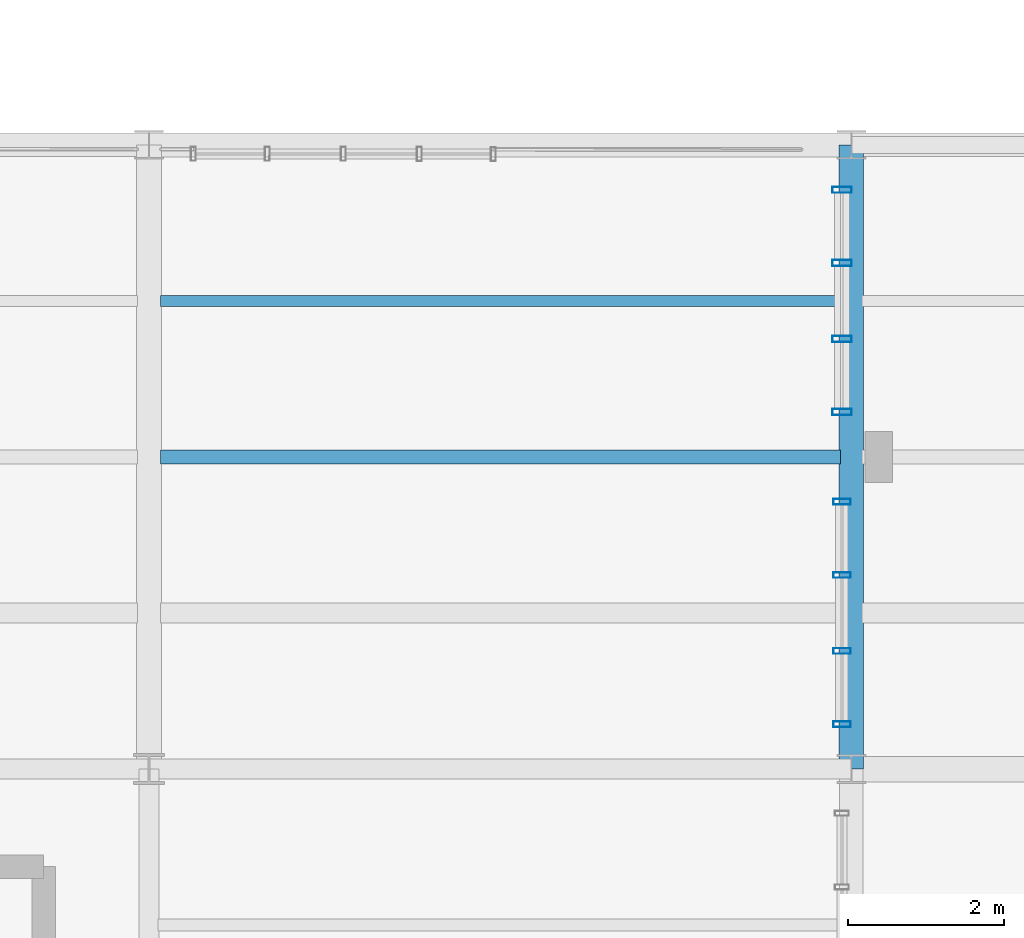
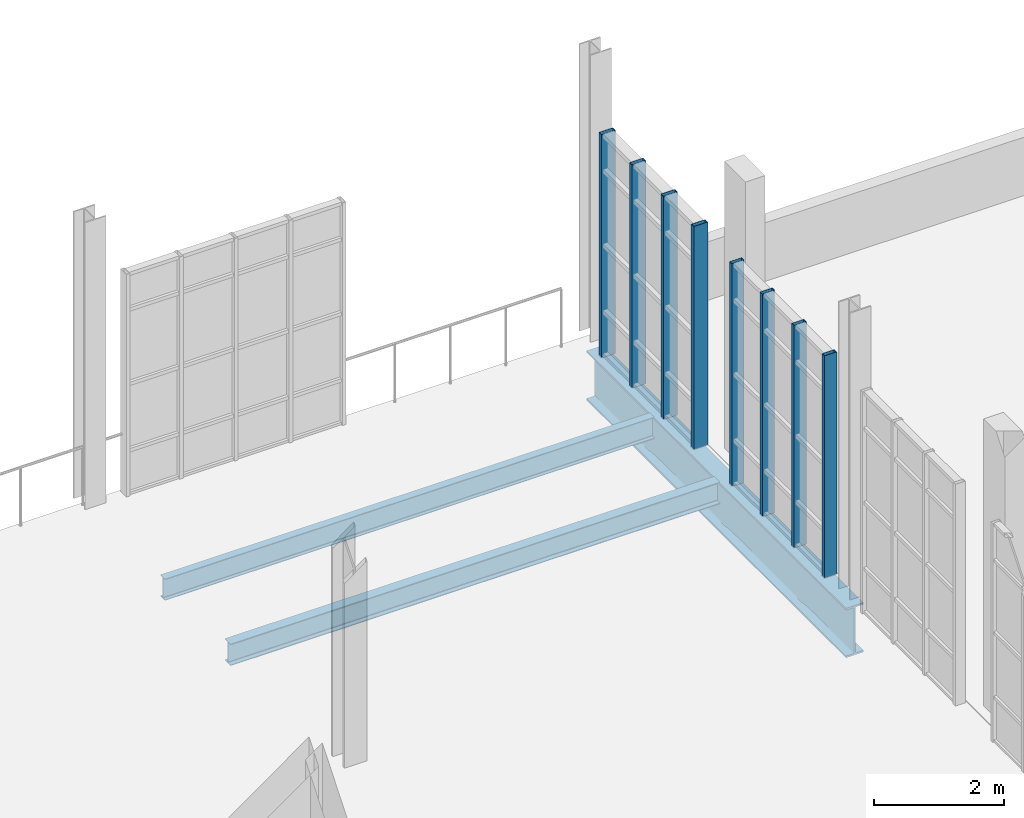
# One storey, part 82 of 142: 8 members, 3 beams, 2 elements without a shape of their own.
"""IFC4 building model written with IfcOpenShell, lengths in metres."""

from ifc_helpers import new_model, si_unit, direction, frame, origin, origin_2d, place, context, subcontext, project, spatial, hollow_rectangle, i_section, extrude, material, layer, layer_set, material_profile, profile_set, type_object, element, aggregate, save


model = new_model("IFC4")

# Units and contexts
model_context = context("Model", 3, precision=1e-05, world=origin(), true_north=direction((0.0, 1.0)))
body_context = subcontext(model_context, "Body", "Model", "MODEL_VIEW")
ifc_project = project(units=[si_unit("LENGTHUNIT", "METRE"), si_unit("AREAUNIT", "SQUARE_METRE"), si_unit("VOLUMEUNIT", "CUBIC_METRE"), si_unit("PLANEANGLEUNIT", "RADIAN"), si_unit("MASSUNIT", "GRAM", prefix="KILO"), si_unit("THERMODYNAMICTEMPERATUREUNIT", "KELVIN"), si_unit("POWERUNIT", "WATT")], contexts=[model_context])

# Site, building, storey
site_placement = place(None, origin())
site = spatial("IfcSite", under=ifc_project, at=site_placement, CompositionType="ELEMENT")
building_placement = place(site_placement, origin())
building = spatial("IfcBuilding", under=site, at=building_placement, Name="Zelmaris Science Centre", CompositionType="ELEMENT")
storey_placement = place(building_placement, frame((0.0, 0.0, 5.39990234375)))
storey = spatial("IfcBuildingStorey", under=building, at=storey_placement, Name="L01", CompositionType="ELEMENT", Elevation=5.39990234375)

# Curtain wall, members
ifc_material_1 = material(Name="Anodised architectural aluminium 6063-T6", Category="aluminium")
ifc_layer_1 = layer(ifc_material_1, 0.199951171875, Name="Anodised architectural aluminium 6063-T6")
ifc_layer_set_1 = layer_set([ifc_layer_1], Name="Anodised architectural aluminium 6063-T6")
curtain_wall_type_1 = type_object("IfcCurtainWallType", Name="Curtain Wall CW-02", PredefinedType="USERDEFINED", material=ifc_layer_set_1)
curtain_wall_1_placement = place(storey_placement, origin())
curtain_wall_1 = element("IfcCurtainWall", 1, at=curtain_wall_1_placement, inside=storey, type_object=curtain_wall_type_1, Name="L01 Unitised curtain wall 150", ObjectType="GLAZED CURTAIN WALL", PredefinedType="USERDEFINED")
ifc_material_profile_1 = material_profile(ifc_material_1, hollow_rectangle(XDim=0.074951171875, YDim=0.219970703125, WallThickness=0.0048828125, at=origin_2d()), Name="ALU-MUL-75X220")
ifc_profile_set_1 = profile_set([ifc_material_profile_1], Name="Anodised architectural aluminium 6063-T6")
member_type_1 = type_object("IfcMemberType", Name="ALU-MUL-75X220", PredefinedType="MULLION", material=ifc_profile_set_1)
member_1_placement = place(storey_placement, frame((143.8798828125, 51.426513671875, -0.014892578125), z_axis=(0.0, 0.0, 1.0), x_axis=(0.0, -1.0, 0.0)))
member_1 = element("IfcMember", 2, at=member_1_placement, type_object=member_type_1, Name="CW-02 mullion 1", PredefinedType="MULLION", context=body_context, shape_type="SweptSolid", body=[
    extrude(hollow_rectangle(XDim=0.074951171875, YDim=0.219970703125, WallThickness=0.0048828125, at=origin_2d()), origin(), (0.0, 0.0, 1.0), 4.18798828125),
])
member_2_placement = place(storey_placement, frame((143.8798828125, 50.486572265625, -0.014892578125), z_axis=(0.0, 0.0, 1.0), x_axis=(0.0, -1.0, 0.0)))
member_2 = element("IfcMember", 3, at=member_2_placement, type_object=member_type_1, Name="CW-02 mullion 2", PredefinedType="MULLION", context=body_context, shape_type="SweptSolid", body=[
    extrude(hollow_rectangle(XDim=0.074951171875, YDim=0.219970703125, WallThickness=0.0048828125, at=origin_2d()), origin(), (0.0, 0.0, 1.0), 4.18798828125),
])
member_3_placement = place(storey_placement, frame((143.8798828125, 49.513427734375, -0.014892578125), z_axis=(0.0, 0.0, 1.0), x_axis=(0.0, -1.0, 0.0)))
member_3 = element("IfcMember", 4, at=member_3_placement, type_object=member_type_1, Name="CW-02 mullion 3", PredefinedType="MULLION", context=body_context, shape_type="SweptSolid", body=[
    extrude(hollow_rectangle(XDim=0.074951171875, YDim=0.219970703125, WallThickness=0.0048828125, at=origin_2d()), origin(), (0.0, 0.0, 1.0), 4.18798828125),
])
member_4_placement = place(storey_placement, frame((143.8798828125, 48.573486328125, -0.014892578125), z_axis=(0.0, 0.0, 1.0), x_axis=(0.0, -1.0, 0.0)))
member_4 = element("IfcMember", 5, at=member_4_placement, type_object=member_type_1, Name="CW-02 mullion 4", PredefinedType="MULLION", context=body_context, shape_type="SweptSolid", body=[
    extrude(hollow_rectangle(XDim=0.074951171875, YDim=0.219970703125, WallThickness=0.0048828125, at=origin_2d()), origin(), (0.0, 0.0, 1.0), 4.18798828125),
])
aggregate(curtain_wall_1, [member_1, member_2, member_3, member_4])

ifc_layer_2 = layer(ifc_material_1, 0.18994140625, Name="Anodised architectural aluminium 6063-T6")
ifc_layer_set_2 = layer_set([ifc_layer_2], Name="Anodised architectural aluminium 6063-T6")
curtain_wall_type_2 = type_object("IfcCurtainWallType", Name="Curtain Wall CW-01", PredefinedType="USERDEFINED", material=ifc_layer_set_2)
curtain_wall_2_placement = place(storey_placement, origin())
curtain_wall_2 = element("IfcCurtainWall", 6, at=curtain_wall_2_placement, inside=storey, type_object=curtain_wall_type_2, Name="L01 Unitised curtain wall 149", ObjectType="GLAZED CURTAIN WALL", PredefinedType="USERDEFINED")
ifc_material_profile_2 = material_profile(ifc_material_1, hollow_rectangle(XDim=0.080078125, YDim=0.25, WallThickness=0.0048828125, at=origin_2d()), Name="ALU-MUL-80X250")
ifc_profile_set_2 = profile_set([ifc_material_profile_2], Name="Anodised architectural aluminium 6063-T6")
member_type_2 = type_object("IfcMemberType", Name="ALU-MUL-80X250", PredefinedType="MULLION", material=ifc_profile_set_2)
member_5_placement = place(storey_placement, frame((143.8798828125, 55.423828125, -0.014892578125), z_axis=(0.0, 0.0, 1.0), x_axis=(0.0, -1.0, 0.0)))
member_5 = element("IfcMember", 7, at=member_5_placement, type_object=member_type_2, Name="CW-01 mullion 1", PredefinedType="MULLION", context=body_context, shape_type="SweptSolid", body=[
    extrude(hollow_rectangle(XDim=0.080078125, YDim=0.25, WallThickness=0.0048828125, at=origin_2d()), origin(), (0.0, 0.0, 1.0), 4.200927734375),
])
member_6_placement = place(storey_placement, frame((143.8798828125, 54.486572265625, -0.014892578125), z_axis=(0.0, 0.0, 1.0), x_axis=(0.0, -1.0, 0.0)))
member_6 = element("IfcMember", 8, at=member_6_placement, type_object=member_type_2, Name="CW-01 mullion 2", PredefinedType="MULLION", context=body_context, shape_type="SweptSolid", body=[
    extrude(hollow_rectangle(XDim=0.080078125, YDim=0.25, WallThickness=0.0048828125, at=origin_2d()), origin(), (0.0, 0.0, 1.0), 4.200927734375),
])
member_7_placement = place(storey_placement, frame((143.8798828125, 53.51318359375, -0.014892578125), z_axis=(0.0, 0.0, 1.0), x_axis=(0.0, -1.0, 0.0)))
member_7 = element("IfcMember", 9, at=member_7_placement, type_object=member_type_2, Name="CW-01 mullion 3", PredefinedType="MULLION", context=body_context, shape_type="SweptSolid", body=[
    extrude(hollow_rectangle(XDim=0.080078125, YDim=0.25, WallThickness=0.0048828125, at=origin_2d()), origin(), (0.0, 0.0, 1.0), 4.200927734375),
])
member_8_placement = place(storey_placement, frame((143.8798828125, 52.575927734375, -0.014892578125), z_axis=(0.0, 0.0, 1.0), x_axis=(0.0, -1.0, 0.0)))
member_8 = element("IfcMember", 10, at=member_8_placement, type_object=member_type_2, Name="CW-01 mullion 4", PredefinedType="MULLION", context=body_context, shape_type="SweptSolid", body=[
    extrude(hollow_rectangle(XDim=0.080078125, YDim=0.25, WallThickness=0.0048828125, at=origin_2d()), origin(), (0.0, 0.0, 1.0), 4.200927734375),
])
aggregate(curtain_wall_2, [member_5, member_6, member_7, member_8])

# Beams
ifc_material_2 = material(Name="Steel ASTM A992 Grade 50", Category="steel")
ifc_material_profile_3 = material_profile(ifc_material_2, i_section(OverallWidth=0.31005859375, OverallDepth=0.931884765625, WebThickness=0.02099609375, FlangeThickness=0.034423828125, FilletRadius=0.02392578125, at=origin_2d()), Name="W36X210")
ifc_profile_set_3 = profile_set([ifc_material_profile_3], Name="Steel ASTM A992 Grade 50")
beam_type_1 = type_object("IfcBeamType", Name="Beam G-25 W36X210", PredefinedType="BEAM", material=ifc_profile_set_3)
beam_1_placement = place(storey_placement, frame((144.0, 48.0, -0.745849609375), z_axis=(0.0, 1.0, 0.0), x_axis=(-1.0, 0.0, 0.0)))
element("IfcBeam", 11, at=beam_1_placement, inside=storey, type_object=beam_type_1, Name="L01 North-south girder 324", PredefinedType="BEAM", context=body_context, shape_type="SweptSolid", body=[
    extrude(i_section(OverallWidth=0.31005859375, OverallDepth=0.931884765625, WebThickness=0.02099609375, FlangeThickness=0.034423828125, FilletRadius=0.02392578125, at=origin_2d()), origin(), (0.0, 0.0, 1.0), 8.0),
])
ifc_material_profile_4 = material_profile(ifc_material_2, i_section(OverallWidth=0.177978515625, OverallDepth=0.408935546875, WebThickness=0.0087890625, FlangeThickness=0.014404296875, FilletRadius=0.011962890625, at=origin_2d()), Name="W16X45")
ifc_profile_set_4 = profile_set([ifc_material_profile_4], Name="Steel ASTM A992 Grade 50")
beam_type_2 = type_object("IfcBeamType", Name="Beam J-07 W16X45", PredefinedType="JOIST", material=ifc_profile_set_4)
beam_2_placement = place(storey_placement, frame((135.1474609375, 52.0, -0.484375), z_axis=(1.0, 0.0, 0.0), x_axis=(0.0, 1.0, 0.0)))
element("IfcBeam", 12, at=beam_2_placement, inside=storey, type_object=beam_type_2, Name="L01 Composite floor joist 213", PredefinedType="JOIST", context=body_context, shape_type="SweptSolid", body=[
    extrude(i_section(OverallWidth=0.177978515625, OverallDepth=0.408935546875, WebThickness=0.0087890625, FlangeThickness=0.014404296875, FilletRadius=0.011962890625, at=origin_2d()), origin(), (0.0, 0.0, 1.0), 8.712646484375),
])
ifc_material_profile_5 = material_profile(ifc_material_2, i_section(OverallWidth=0.139892578125, OverallDepth=0.404052734375, WebThickness=0.007080078125, FlangeThickness=0.01123046875, FilletRadius=0.011962890625, at=origin_2d()), Name="W16X31")
ifc_profile_set_5 = profile_set([ifc_material_profile_5], Name="Steel ASTM A992 Grade 50")
beam_type_3 = type_object("IfcBeamType", Name="Beam J-08 W16X31", PredefinedType="JOIST", material=ifc_profile_set_5)
beam_3_placement = place(storey_placement, frame((135.1474609375, 54.0, -0.48193359375), z_axis=(1.0, 0.0, 0.0), x_axis=(0.0, 1.0, 0.0)))
element("IfcBeam", 13, at=beam_3_placement, inside=storey, type_object=beam_type_3, Name="L01 Composite floor joist 214", PredefinedType="JOIST", context=body_context, shape_type="SweptSolid", body=[
    extrude(i_section(OverallWidth=0.139892578125, OverallDepth=0.404052734375, WebThickness=0.007080078125, FlangeThickness=0.01123046875, FilletRadius=0.011962890625, at=origin_2d()), origin(), (0.0, 0.0, 1.0), 8.712646484375),
])

save(model, "model.ifc")
